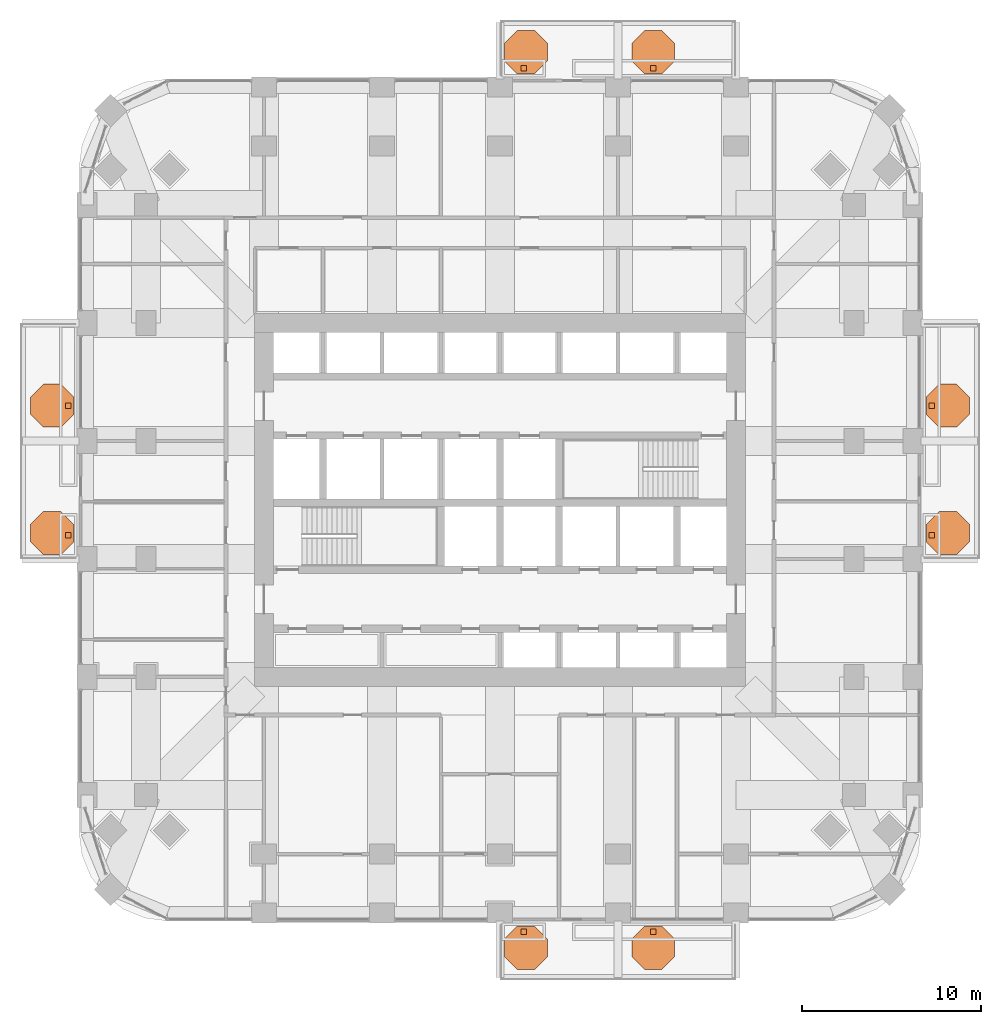
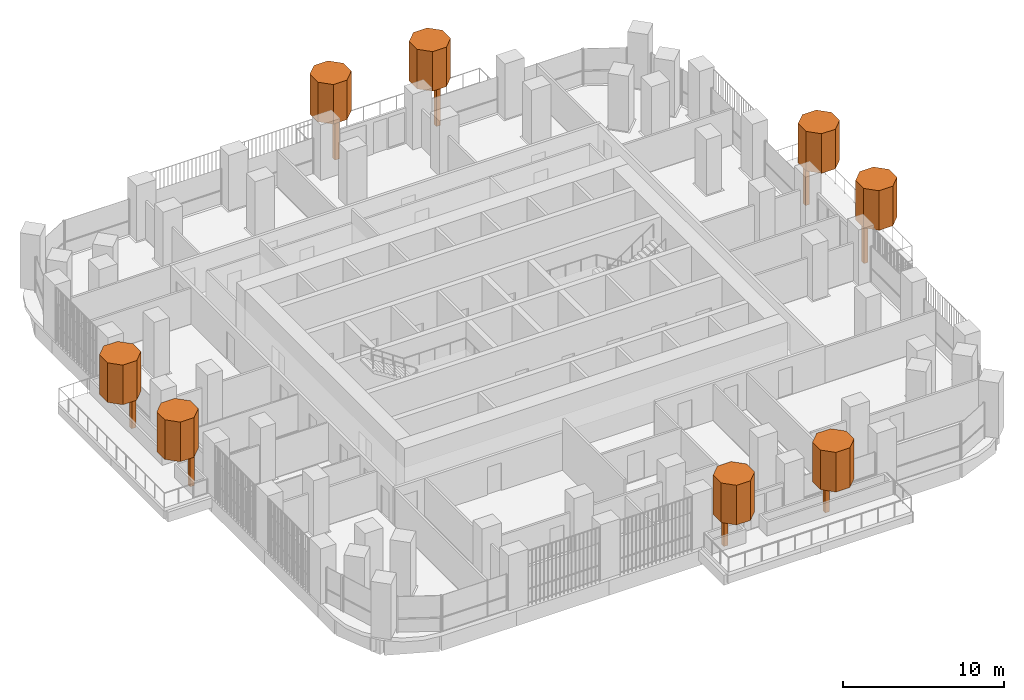
# One storey, part 23 of 23: 16 geographic elements.
"""IFC4 building model written with IfcOpenShell, lengths in metres."""

from ifc_helpers import new_model, si_unit, direction, frame, origin, origin_2d, place, context, subcontext, project, spatial, polyline, rectangle, outline, extrude, material, type_object, element, save


model = new_model("IFC4")

# Units and contexts
model_context = context("Model", 3, precision=1e-05, world=origin(), true_north=direction((0.0, 1.0)))
body_context = subcontext(model_context, "Body", "Model", "MODEL_VIEW")
ifc_project = project(units=[si_unit("LENGTHUNIT", "METRE"), si_unit("AREAUNIT", "SQUARE_METRE"), si_unit("VOLUMEUNIT", "CUBIC_METRE"), si_unit("PLANEANGLEUNIT", "RADIAN"), si_unit("MASSUNIT", "GRAM", prefix="KILO")], contexts=[model_context])

# Site, building, storey
site_placement = place(None, origin())
site = spatial("IfcSite", under=ifc_project, at=site_placement, CompositionType="ELEMENT")
building_placement = place(site_placement, origin())
building = spatial("IfcBuilding", under=site, at=building_placement, Name="Cobogo Forest Laboratory Tower", CompositionType="ELEMENT")
storey_placement = place(building_placement, frame((0.0, 0.0, 128.39990234375)))
storey = spatial("IfcBuildingStorey", under=building, at=storey_placement, Name="L29", CompositionType="ELEMENT", Elevation=128.39990234375)

# Geographic elements
ifc_material = material(Name="Planting", Category="plant")
geographic_element_type_1 = type_object("IfcGeographicElementType", Name="Tree trunk 300", PredefinedType="USERDEFINED", material=ifc_material)
for number, where, z_axis, x_axis, name in (
    (1, (27.72509765625, -1.050048828125, 0.000244140625), (0.0, 0.0, 1.0), (1.0, 0.0, 0.0), "Tree trunk BAL-S1-PL1 L29"),
    (2, (34.97509765625, -1.050048828125, 0.000244140625), (0.0, 0.0, 1.0), (1.0, 0.0, 0.0), "Tree trunk BAL-S1-PL2 L29"),
    (3, (50.550048828125, 21.125, 0.000244140625), (0.0, 0.0, 1.0), (1.0, 0.0, 0.0), "Tree trunk BAL-E1-PL1 L29"),
    (4, (50.550048828125, 28.375, 0.000244140625), (0.0, 0.0, 1.0), (1.0, 0.0, 0.0), "Tree trunk BAL-E1-PL2 L29"),
    (5, (27.72509765625, 47.25, 0.000244140625), (0.0, 0.0, 1.0), (1.0, 0.0, 0.0), "Tree trunk BAL-N1-PL1 L29"),
    (6, (34.97509765625, 47.25, 0.000244140625), (0.0, 0.0, 1.0), (1.0, 0.0, 0.0), "Tree trunk BAL-N1-PL2 L29"),
    (7, (2.25, 21.125, 0.000244140625), (0.0, 0.0, 1.0), (1.0, 0.0, 0.0), "Tree trunk BAL-W1-PL1 L29"),
    (8, (2.25, 28.375, 0.000244140625), (0.0, 0.0, 1.0), (1.0, 0.0, 0.0), "Tree trunk BAL-W1-PL2 L29"),
):
    element("IfcGeographicElement", number, at=place(storey_placement, frame(where, z_axis=z_axis, x_axis=x_axis)), inside=storey, type_object=geographic_element_type_1, Name=name, ObjectType="TREE TRUNK", PredefinedType="USERDEFINED", context=body_context, shape_type="SweptSolid", body=[
        extrude(rectangle(XDim=0.300048828125, YDim=0.300048828125, at=origin_2d()), origin(), (0.0, 0.0, 1.0), 2.89990234375),
    ])
geographic_element_type_2 = type_object("IfcGeographicElementType", Name="Tree, holm oak 5 m", PredefinedType="USERDEFINED", material=ifc_material)
geographic_element_1_placement = place(storey_placement, frame((0.0, 0.0, 2.900146484375)))
element("IfcGeographicElement", 9, at=geographic_element_1_placement, inside=storey, type_object=geographic_element_type_2, Name="Holm tree BAL-S1-PL1 L29", ObjectType="TREE", PredefinedType="USERDEFINED", context=body_context, shape_type="SweptSolid", body=[
    extrude(outline(polyline([(29.050048828125, -2.447021484375), (29.050048828125, -1.452880859375), (28.34716796875, -0.75), (27.35302734375, -0.75), (26.64990234375, -1.452880859375), (26.64990234375, -2.447021484375), (27.35302734375, -3.14990234375), (28.34716796875, -3.14990234375), (29.050048828125, -2.447021484375)])), origin(), (0.0, 0.0, 1.0), 3.0),
])
geographic_element_2_placement = place(storey_placement, frame((0.0, 0.0, 2.900146484375)))
element("IfcGeographicElement", 10, at=geographic_element_2_placement, inside=storey, type_object=geographic_element_type_2, Name="Holm tree BAL-S1-PL2 L29", ObjectType="TREE", PredefinedType="USERDEFINED", context=body_context, shape_type="SweptSolid", body=[
    extrude(outline(polyline([(36.175048828125, -2.447021484375), (36.175048828125, -1.452880859375), (35.47216796875, -0.75), (34.47802734375, -0.75), (33.77490234375, -1.452880859375), (33.77490234375, -2.447021484375), (34.47802734375, -3.14990234375), (35.47216796875, -3.14990234375), (36.175048828125, -2.447021484375)])), origin(), (0.0, 0.0, 1.0), 3.0),
])
geographic_element_3_placement = place(storey_placement, frame((0.0, 0.0, 2.900146484375)))
element("IfcGeographicElement", 11, at=geographic_element_3_placement, inside=storey, type_object=geographic_element_type_2, Name="Holm tree BAL-E1-PL1 L29", ObjectType="TREE", PredefinedType="USERDEFINED", context=body_context, shape_type="SweptSolid", body=[
    extrude(outline(polyline([(52.64990234375, 20.7529296875), (52.64990234375, 21.7470703125), (51.947021484375, 22.449951171875), (50.952880859375, 22.449951171875), (50.25, 21.7470703125), (50.25, 20.7529296875), (50.952880859375, 20.050048828125), (51.947021484375, 20.050048828125), (52.64990234375, 20.7529296875)])), origin(), (0.0, 0.0, 1.0), 3.0),
])
geographic_element_4_placement = place(storey_placement, frame((0.0, 0.0, 2.900146484375)))
element("IfcGeographicElement", 12, at=geographic_element_4_placement, inside=storey, type_object=geographic_element_type_2, Name="Holm tree BAL-E1-PL2 L29", ObjectType="TREE", PredefinedType="USERDEFINED", context=body_context, shape_type="SweptSolid", body=[
    extrude(outline(polyline([(52.64990234375, 27.8779296875), (52.64990234375, 28.8720703125), (51.947021484375, 29.574951171875), (50.952880859375, 29.574951171875), (50.25, 28.8720703125), (50.25, 27.8779296875), (50.952880859375, 27.175048828125), (51.947021484375, 27.175048828125), (52.64990234375, 27.8779296875)])), origin(), (0.0, 0.0, 1.0), 3.0),
])
geographic_element_5_placement = place(storey_placement, frame((0.0, 0.0, 2.900146484375)))
element("IfcGeographicElement", 13, at=geographic_element_5_placement, inside=storey, type_object=geographic_element_type_2, Name="Holm tree BAL-N1-PL1 L29", ObjectType="TREE", PredefinedType="USERDEFINED", context=body_context, shape_type="SweptSolid", body=[
    extrude(outline(polyline([(29.050048828125, 47.65283203125), (29.050048828125, 48.64697265625), (28.34716796875, 49.35009765625), (27.35302734375, 49.35009765625), (26.64990234375, 48.64697265625), (26.64990234375, 47.65283203125), (27.35302734375, 46.949951171875), (28.34716796875, 46.949951171875), (29.050048828125, 47.65283203125)])), origin(), (0.0, 0.0, 1.0), 3.0),
])
geographic_element_6_placement = place(storey_placement, frame((0.0, 0.0, 2.900146484375)))
element("IfcGeographicElement", 14, at=geographic_element_6_placement, inside=storey, type_object=geographic_element_type_2, Name="Holm tree BAL-N1-PL2 L29", ObjectType="TREE", PredefinedType="USERDEFINED", context=body_context, shape_type="SweptSolid", body=[
    extrude(outline(polyline([(36.175048828125, 47.65283203125), (36.175048828125, 48.64697265625), (35.47216796875, 49.35009765625), (34.47802734375, 49.35009765625), (33.77490234375, 48.64697265625), (33.77490234375, 47.65283203125), (34.47802734375, 46.949951171875), (35.47216796875, 46.949951171875), (36.175048828125, 47.65283203125)])), origin(), (0.0, 0.0, 1.0), 3.0),
])
geographic_element_7_placement = place(storey_placement, frame((0.0, 0.0, 2.900146484375)))
element("IfcGeographicElement", 15, at=geographic_element_7_placement, inside=storey, type_object=geographic_element_type_2, Name="Holm tree BAL-W1-PL1 L29", ObjectType="TREE", PredefinedType="USERDEFINED", context=body_context, shape_type="SweptSolid", body=[
    extrude(outline(polyline([(2.550048828125, 20.7529296875), (2.550048828125, 21.7470703125), (1.84716796875, 22.449951171875), (0.85302734375, 22.449951171875), (0.14990234375, 21.7470703125), (0.14990234375, 20.7529296875), (0.85302734375, 20.050048828125), (1.84716796875, 20.050048828125), (2.550048828125, 20.7529296875)])), origin(), (0.0, 0.0, 1.0), 3.0),
])
geographic_element_8_placement = place(storey_placement, frame((0.0, 0.0, 2.900146484375)))
element("IfcGeographicElement", 16, at=geographic_element_8_placement, inside=storey, type_object=geographic_element_type_2, Name="Holm tree BAL-W1-PL2 L29", ObjectType="TREE", PredefinedType="USERDEFINED", context=body_context, shape_type="SweptSolid", body=[
    extrude(outline(polyline([(2.550048828125, 27.8779296875), (2.550048828125, 28.8720703125), (1.84716796875, 29.574951171875), (0.85302734375, 29.574951171875), (0.14990234375, 28.8720703125), (0.14990234375, 27.8779296875), (0.85302734375, 27.175048828125), (1.84716796875, 27.175048828125), (2.550048828125, 27.8779296875)])), origin(), (0.0, 0.0, 1.0), 3.0),
])

save(model, "model.ifc")
